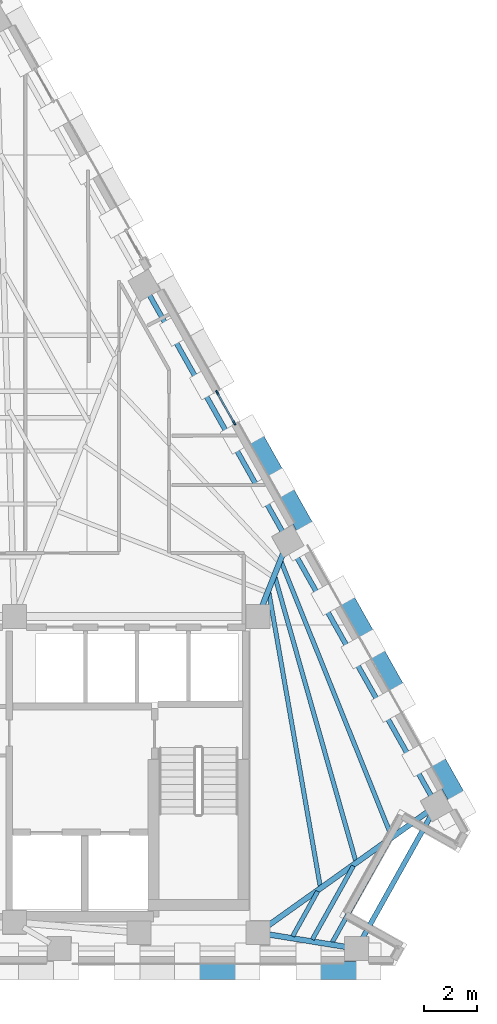
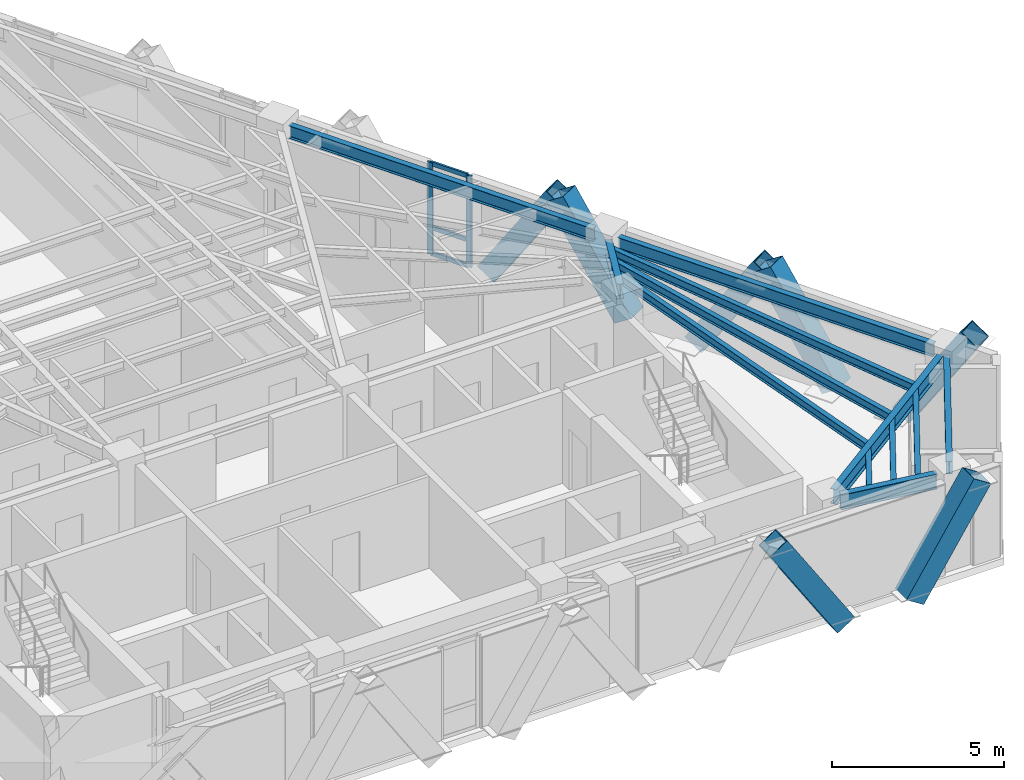
# One storey, part 4 of 13: 12 beams, 12 members, 1 element without a shape of its own.
"""IFC4 building model written with IfcOpenShell, lengths in metres."""

from ifc_helpers import new_model, si_unit, direction, frame, origin, origin_2d, place, context, subcontext, project, spatial, rectangle, hollow_rectangle, i_section, extrude, material, material_profile, profile_set, type_object, element, aggregate, save


model = new_model("IFC4")

# Units and contexts
model_context = context("Model", 3, precision=1e-05, world=origin(), true_north=direction((0.0, 1.0)))
body_context = subcontext(model_context, "Body", "Model", "MODEL_VIEW")
ifc_project = project(units=[si_unit("LENGTHUNIT", "METRE"), si_unit("AREAUNIT", "SQUARE_METRE"), si_unit("VOLUMEUNIT", "CUBIC_METRE"), si_unit("PLANEANGLEUNIT", "RADIAN"), si_unit("MASSUNIT", "GRAM", prefix="KILO")], contexts=[model_context])

# Site, building, storey
site_placement = place(None, origin())
site = spatial("IfcSite", under=ifc_project, at=site_placement, CompositionType="ELEMENT")
building_placement = place(site_placement, origin())
building = spatial("IfcBuilding", under=site, at=building_placement, Name="Quenlor Broadcast Tower", CompositionType="ELEMENT")
storey_placement = place(building_placement, frame((0.0, 0.0, 207.89990234375)))
storey = spatial("IfcBuildingStorey", under=building, at=storey_placement, Name="L57", CompositionType="ELEMENT", Elevation=207.89990234375)

# Curtain wall, members
ifc_material_1 = material(Name="Architectural Terracotta and Low-E Glazing", Category="masonry")
curtain_wall_type = type_object("IfcCurtainWallType", Name="Unitised Terracotta Curtain Wall System Z4", PredefinedType="NOTDEFINED", material=ifc_material_1)
curtain_wall_placement = place(storey_placement, origin())
curtain_wall = element("IfcCurtainWall", 1, at=curtain_wall_placement, inside=storey, type_object=curtain_wall_type, Name="L57 Curtain Wall CW4 (L57-NE-G1)", PredefinedType="NOTDEFINED")
ifc_material_2 = material(Name="Aluminium 6063-T6", Category="aluminium")
ifc_material_profile_1 = material_profile(ifc_material_2, rectangle(XDim=0.068115234375, YDim=0.179931640625, at=origin_2d()))
ifc_profile_set_1 = profile_set([ifc_material_profile_1], Name="Aluminium 6063-T6 MULL68x180")
member_type_1 = type_object("IfcMemberType", Name="CW4 Aluminium Mullion MULL_CW4", PredefinedType="MULLION", material=ifc_profile_set_1)
member_1_placement = place(storey_placement, frame((11.408203125, 3.65966796875, 0.0), z_axis=(0.0, 0.0, 1.0), x_axis=(0.871560008943, 0.490288844266, 0.0)))
member_1 = element("IfcMember", 2, at=member_1_placement, type_object=member_type_1, Name="CW4 mullion 1", PredefinedType="MULLION", context=body_context, shape_type="SweptSolid", body=[
    extrude(rectangle(XDim=0.068115234375, YDim=0.179931640625, at=origin_2d()), origin(), (0.0, 0.0, 1.0), 3.25),
])
member_2_placement = place(storey_placement, frame((12.049560546875, 2.519775390625, 0.0), z_axis=(0.0, 0.0, 1.0), x_axis=(0.871560008943, 0.490288844266, 0.0)))
member_2 = element("IfcMember", 3, at=member_2_placement, type_object=member_type_1, Name="CW4 mullion 2", PredefinedType="MULLION", context=body_context, shape_type="SweptSolid", body=[
    extrude(rectangle(XDim=0.068115234375, YDim=0.179931640625, at=origin_2d()), origin(), (0.0, 0.0, 1.0), 3.25),
])
ifc_material_3 = material(Name="Aluminium 6063-T6", Category="aluminium")
ifc_material_profile_2 = material_profile(ifc_material_3, rectangle(XDim=0.068115234375, YDim=0.14990234375, at=origin_2d()))
ifc_profile_set_2 = profile_set([ifc_material_profile_2], Name="Aluminium 6063-T6 TRAN68x150")
member_type_2 = type_object("IfcMemberType", Name="CW4 Aluminium Transom TRAN_CW4", PredefinedType="USERDEFINED", material=ifc_profile_set_2)
member_3_placement = place(storey_placement, frame((11.425048828125, 3.630126953125, 0.0341796875), z_axis=(0.490233197009, -0.871591310506, 0.0), x_axis=(0.871591310506, 0.490233197009, 0.0)))
member_3 = element("IfcMember", 4, at=member_3_placement, type_object=member_type_2, Name="CW4 transom 1.1", ObjectType="TRANSOM", PredefinedType="USERDEFINED", context=body_context, shape_type="SweptSolid", body=[
    extrude(rectangle(XDim=0.068115234375, YDim=0.14990234375, at=origin_2d()), origin(), (0.0, 0.0, 1.0), 1.239990234375),
])
member_4_placement = place(storey_placement, frame((11.425048828125, 3.630126953125, 0.9501953125), z_axis=(0.490233197009, -0.871591310506, 0.0), x_axis=(0.871591310506, 0.490233197009, 0.0)))
member_4 = element("IfcMember", 5, at=member_4_placement, type_object=member_type_2, Name="CW4 transom 1.2", ObjectType="TRANSOM", PredefinedType="USERDEFINED", context=body_context, shape_type="SweptSolid", body=[
    extrude(rectangle(XDim=0.068115234375, YDim=0.14990234375, at=origin_2d()), origin(), (0.0, 0.0, 1.0), 1.239990234375),
])
member_5_placement = place(storey_placement, frame((11.425048828125, 3.630126953125, 3.216064453125), z_axis=(0.490233197009, -0.871591310506, 0.0), x_axis=(0.871591310506, 0.490233197009, 0.0)))
member_5 = element("IfcMember", 6, at=member_5_placement, type_object=member_type_2, Name="CW4 transom 1.3", ObjectType="TRANSOM", PredefinedType="USERDEFINED", context=body_context, shape_type="SweptSolid", body=[
    extrude(rectangle(XDim=0.068115234375, YDim=0.14990234375, at=origin_2d()), origin(), (0.0, 0.0, 1.0), 1.239990234375),
])
aggregate(curtain_wall, [member_1, member_2, member_3, member_4, member_5])

# Members
ifc_material_4 = material(Name="Steel S355", Category="steel")
ifc_material_profile_3 = material_profile(ifc_material_4, hollow_rectangle(XDim=0.679931640625, YDim=0.679931640625, WallThickness=0.02490234375, at=origin_2d()))
ifc_profile_set_3 = profile_set([ifc_material_profile_3], Name="Steel S355 RHS680x680x25")
member_type_3 = type_object("IfcMemberType", Name="Perimeter Diagonal Lattice Brace Z3-Z4 Steel S355 RHS680x25", PredefinedType="BRACE", material=ifc_profile_set_3)
for number, where, z_axis, x_axis, name in (
    (7, (12.54541015625, -18.169921875, -0.119873046875), (-0.541794306908, 0.0, 0.840511111766), (0.0, -1.0, 0.0), "L57 Perimeter Diamond Lattice S-C1S"),
    (8, (14.856201171875, -18.169921875, -0.119873046875), (0.541794306908, 0.0, 0.840511111766), (0.0, 1.0, 0.0), "L57 Perimeter Diamond Lattice S-C1B"),
):
    element("IfcMember", number, at=place(storey_placement, frame(where, z_axis=z_axis, x_axis=x_axis)), inside=storey, type_object=member_type_3, Name=name, PredefinedType="BRACE", context=body_context, shape_type="SweptSolid", body=[
        extrude(hollow_rectangle(XDim=0.679931640625, YDim=0.679931640625, WallThickness=0.02490234375, at=origin_2d()), origin(), (0.0, 0.0, 1.0), 4.1640625),
    ])
for number, where, z_axis, x_axis, name in (
    (9, (12.651611328125, 2.255126953125, -0.119873046875), (0.269547055694, -0.479136497832, 0.835327840559), (0.871550060774, 0.49030652817, 0.0), "L57 Perimeter Diamond Lattice NE-C3S"),
    (10, (16.08056640625, -3.841064453125, -0.119873046875), (0.269547055694, -0.479136497832, 0.835327840559), (0.871550060774, 0.49030652817, 0.0), "L57 Perimeter Diamond Lattice NE-C4S"),
    (11, (14.923828125, -1.78466796875, -0.119873046875), (-0.269485495908, 0.479188912076, 0.835317636614), (-0.871620820774, -0.490180726664, 0.0), "L57 Perimeter Diamond Lattice NE-C4B"),
    (12, (19.509765625, -9.937255859375, -0.119873046875), (0.269547055694, -0.479136497832, 0.835327840559), (0.871550060774, 0.49030652817, 0.0), "L57 Perimeter Diamond Lattice NE-C5S"),
):
    element("IfcMember", number, at=place(storey_placement, frame(where, z_axis=z_axis, x_axis=x_axis)), inside=storey, type_object=member_type_3, Name=name, PredefinedType="BRACE", context=body_context, shape_type="SweptSolid", body=[
        extrude(hollow_rectangle(XDim=0.679931640625, YDim=0.679931640625, WallThickness=0.02490234375, at=origin_2d()), origin(), (0.0, 0.0, 1.0), 4.18994140625),
    ])
member_6_placement = place(storey_placement, frame((18.35302734375, -7.880859375, -0.119873046875), z_axis=(-0.269539530269, 0.479181387144, 0.835304519224), x_axis=(-0.871575537125, -0.490261239633, 0.0)))
element("IfcMember", 13, at=member_6_placement, inside=storey, type_object=member_type_3, Name="L57 Perimeter Diamond Lattice NE-C5B", PredefinedType="BRACE", context=body_context, shape_type="SweptSolid", body=[
    extrude(hollow_rectangle(XDim=0.679931640625, YDim=0.679931640625, WallThickness=0.02490234375, at=origin_2d()), origin(), (0.0, 0.0, 1.0), 4.190185546875),
])

# Beams
ifc_material_5 = material(Name="Steel S355", Category="steel")
ifc_material_profile_4 = material_profile(ifc_material_5, i_section(OverallWidth=0.18994140625, OverallDepth=0.453857421875, WebThickness=0.008544921875, FlangeThickness=0.0126953125, FilletRadius=0.011474609375, at=origin_2d()))
ifc_profile_set_4 = profile_set([ifc_material_profile_4], Name="Steel S355 460UB67.1")
beam_type_1 = type_object("IfcBeamType", Name="Perimeter Spandrel Beam Z4 Steel S355 460UB67.1", PredefinedType="SPANDREL", material=ifc_profile_set_4)
beam_1_placement = place(storey_placement, frame((16.875732421875, -16.991943359375, 3.023193359375), z_axis=(0.487647250206, 0.8730407547, 0.0), x_axis=(-0.8730407547, 0.487647250206, 0.0)))
element("IfcBeam", 14, at=beam_1_placement, inside=storey, type_object=beam_type_1, Name="L57 Spandrel Beam S4-NE1", PredefinedType="SPANDREL", context=body_context, shape_type="SweptSolid", body=[
    extrude(i_section(OverallWidth=0.18994140625, OverallDepth=0.453857421875, WebThickness=0.008544921875, FlangeThickness=0.0126953125, FilletRadius=0.011474609375, at=origin_2d()), origin(), (0.0, 0.0, 1.0), 5.37451171875),
])
beam_2_placement = place(storey_placement, frame((19.49560546875, -11.58447265625, 3.023193359375), z_axis=(-0.490272131974, 0.871569410093, 0.0), x_axis=(-0.871569410093, -0.490272131974, 0.0)))
element("IfcBeam", 15, at=beam_2_placement, inside=storey, type_object=beam_type_1, Name="L57 Spandrel Beam NE1-NE2", PredefinedType="SPANDREL", context=body_context, shape_type="SweptSolid", body=[
    extrude(i_section(OverallWidth=0.18994140625, OverallDepth=0.453857421875, WebThickness=0.008544921875, FlangeThickness=0.0126953125, FilletRadius=0.011474609375, at=origin_2d()), origin(), (0.0, 0.0, 1.0), 10.6416015625),
])
beam_3_placement = place(storey_placement, frame((13.87646484375, -1.594970703125, 3.023193359375), z_axis=(-0.490263496537, 0.871574267612, 0.0), x_axis=(-0.871574267612, -0.490263496537, 0.0)))
element("IfcBeam", 16, at=beam_3_placement, inside=storey, type_object=beam_type_1, Name="L57 Spandrel Beam NE2-NE3", PredefinedType="SPANDREL", context=body_context, shape_type="SweptSolid", body=[
    extrude(i_section(OverallWidth=0.18994140625, OverallDepth=0.453857421875, WebThickness=0.008544921875, FlangeThickness=0.0126953125, FilletRadius=0.011474609375, at=origin_2d()), origin(), (0.0, 0.0, 1.0), 10.271728515625),
])
ifc_material_6 = material(Name="Steel S355", Category="steel")
ifc_material_profile_5 = material_profile(ifc_material_6, i_section(OverallWidth=0.166015625, OverallDepth=0.30712890625, WebThickness=0.006591796875, FlangeThickness=0.01171875, FilletRadius=0.011474609375, at=origin_2d()))
ifc_profile_set_5 = profile_set([ifc_material_profile_5], Name="Steel S355 310UB46.2")
beam_type_2 = type_object("IfcBeamType", Name="Tower Composite Joist Z4-Z5 Steel S355 310UB46.2", PredefinedType="JOIST", material=ifc_profile_set_5)
beam_4_placement = place(storey_placement, frame((15.297607421875, -14.98828125, 3.096435546875), z_axis=(-0.172003691938, 0.985096304916, 0.0), x_axis=(-0.985096304916, -0.172003691938, 0.0)))
element("IfcBeam", 17, at=beam_4_placement, inside=storey, type_object=beam_type_2, Name="L57 Secondary Composite Joist 16", PredefinedType="JOIST", context=body_context, shape_type="SweptSolid", body=[
    extrude(i_section(OverallWidth=0.166015625, OverallDepth=0.30712890625, WebThickness=0.006591796875, FlangeThickness=0.01171875, FilletRadius=0.011474609375, at=origin_2d()), origin(), (0.0, 0.0, 1.0), 11.274169921875),
])
beam_5_placement = place(storey_placement, frame((16.638671875, -14.028564453125, 3.096435546875), z_axis=(-0.273447576454, 0.961886907558, 0.0), x_axis=(-0.961886907558, -0.273447576454, 0.0)))
element("IfcBeam", 18, at=beam_5_placement, inside=storey, type_object=beam_type_2, Name="L57 Secondary Composite Joist 17", PredefinedType="JOIST", context=body_context, shape_type="SweptSolid", body=[
    extrude(i_section(OverallWidth=0.166015625, OverallDepth=0.30712890625, WebThickness=0.006591796875, FlangeThickness=0.01171875, FilletRadius=0.011474609375, at=origin_2d()), origin(), (0.0, 0.0, 1.0), 11.142333984375),
])
beam_6_placement = place(storey_placement, frame((17.97998046875, -13.069580078125, 3.096435546875), z_axis=(-0.373094895103, 0.927793187757, 0.0), x_axis=(-0.927793187757, -0.373094895103, 0.0)))
element("IfcBeam", 19, at=beam_6_placement, inside=storey, type_object=beam_type_2, Name="L57 Secondary Composite Joist 18", PredefinedType="JOIST", context=body_context, shape_type="SweptSolid", body=[
    extrude(i_section(OverallWidth=0.166015625, OverallDepth=0.30712890625, WebThickness=0.006591796875, FlangeThickness=0.01171875, FilletRadius=0.011474609375, at=origin_2d()), origin(), (0.0, 0.0, 1.0), 11.13525390625),
])
beam_7_placement = place(storey_placement, frame((14.255859375, -16.88427734375, 3.096435546875), z_axis=(0.487590799665, 0.873072283423, 0.0), x_axis=(-0.873072283423, 0.487590799665, 0.0)))
element("IfcBeam", 20, at=beam_7_placement, inside=storey, type_object=beam_type_2, Name="L57 Secondary Composite Joist 22", PredefinedType="JOIST", context=body_context, shape_type="SweptSolid", body=[
    extrude(i_section(OverallWidth=0.166015625, OverallDepth=0.30712890625, WebThickness=0.006591796875, FlangeThickness=0.01171875, FilletRadius=0.011474609375, at=origin_2d()), origin(), (0.0, 0.0, 1.0), 1.9462890625),
])
beam_8_placement = place(storey_placement, frame((15.0009765625, -17.004150390625, 3.096435546875), z_axis=(0.487646119388, 0.87304138633, 0.0), x_axis=(-0.87304138633, 0.487646119388, 0.0)))
element("IfcBeam", 21, at=beam_8_placement, inside=storey, type_object=beam_type_2, Name="L57 Secondary Composite Joist 23", PredefinedType="JOIST", context=body_context, shape_type="SweptSolid", body=[
    extrude(i_section(OverallWidth=0.166015625, OverallDepth=0.30712890625, WebThickness=0.006591796875, FlangeThickness=0.01171875, FilletRadius=0.011474609375, at=origin_2d()), origin(), (0.0, 0.0, 1.0), 3.18505859375),
])
beam_9_placement = place(storey_placement, frame((15.74609375, -17.124267578125, 3.096435546875), z_axis=(0.487604899573, 0.873064408799, 0.0), x_axis=(-0.873064408799, 0.487604899573, 0.0)))
element("IfcBeam", 22, at=beam_9_placement, inside=storey, type_object=beam_type_2, Name="L57 Secondary Composite Joist 24", PredefinedType="JOIST", context=body_context, shape_type="SweptSolid", body=[
    extrude(i_section(OverallWidth=0.166015625, OverallDepth=0.30712890625, WebThickness=0.006591796875, FlangeThickness=0.01171875, FilletRadius=0.011474609375, at=origin_2d()), origin(), (0.0, 0.0, 1.0), 4.424072265625),
])
ifc_material_7 = material(Name="Steel S355", Category="steel")
ifc_material_profile_6 = material_profile(ifc_material_7, i_section(OverallWidth=0.208984375, OverallDepth=0.5283203125, WebThickness=0.009521484375, FlangeThickness=0.01318359375, FilletRadius=0.013916015625, at=origin_2d()))
ifc_profile_set_6 = profile_set([ifc_material_profile_6], Name="Steel S355 530UB82.0")
beam_type_3 = type_object("IfcBeamType", Name="Tower Primary Floor Beam Z4 Steel S355 530UB82.0", PredefinedType="BEAM", material=ifc_profile_set_6)
beam_10_placement = place(storey_placement, frame((16.27099609375, -17.284912109375, 2.986083984375), z_axis=(-0.987268490875, 0.159062650942, 0.0), x_axis=(-0.159062650942, -0.987268490875, 0.0)))
element("IfcBeam", 23, at=beam_10_placement, inside=storey, type_object=beam_type_3, Name="L57 Primary Radial Beam S4", PredefinedType="BEAM", context=body_context, shape_type="SweptSolid", body=[
    extrude(i_section(OverallWidth=0.208984375, OverallDepth=0.5283203125, WebThickness=0.009521484375, FlangeThickness=0.01318359375, FilletRadius=0.013916015625, at=origin_2d()), origin(), (0.0, 0.0, 1.0), 2.98388671875),
])
beam_11_placement = place(storey_placement, frame((19.362548828125, -12.1796875, 2.986083984375), z_axis=(-0.814329531787, -0.580402802938, 0.0), x_axis=(0.580402802938, -0.814329531787, 0.0)))
element("IfcBeam", 24, at=beam_11_placement, inside=storey, type_object=beam_type_3, Name="L57 Primary Radial Beam NE1", PredefinedType="BEAM", context=body_context, shape_type="SweptSolid", body=[
    extrude(i_section(OverallWidth=0.208984375, OverallDepth=0.5283203125, WebThickness=0.009521484375, FlangeThickness=0.01318359375, FilletRadius=0.013916015625, at=origin_2d()), origin(), (0.0, 0.0, 1.0), 7.49462890625),
])
beam_12_placement = place(storey_placement, frame((13.926513671875, -2.33349609375, 2.986083984375), z_axis=(-0.368110359783, -0.92978210513, 0.0), x_axis=(0.92978210513, -0.368110359783, 0.0)))
element("IfcBeam", 25, at=beam_12_placement, inside=storey, type_object=beam_type_3, Name="L57 Primary Radial Beam NE2", PredefinedType="BEAM", context=body_context, shape_type="SweptSolid", body=[
    extrude(i_section(OverallWidth=0.208984375, OverallDepth=0.5283203125, WebThickness=0.009521484375, FlangeThickness=0.01318359375, FilletRadius=0.013916015625, at=origin_2d()), origin(), (0.0, 0.0, 1.0), 2.27294921875),
])

save(model, "model.ifc")
